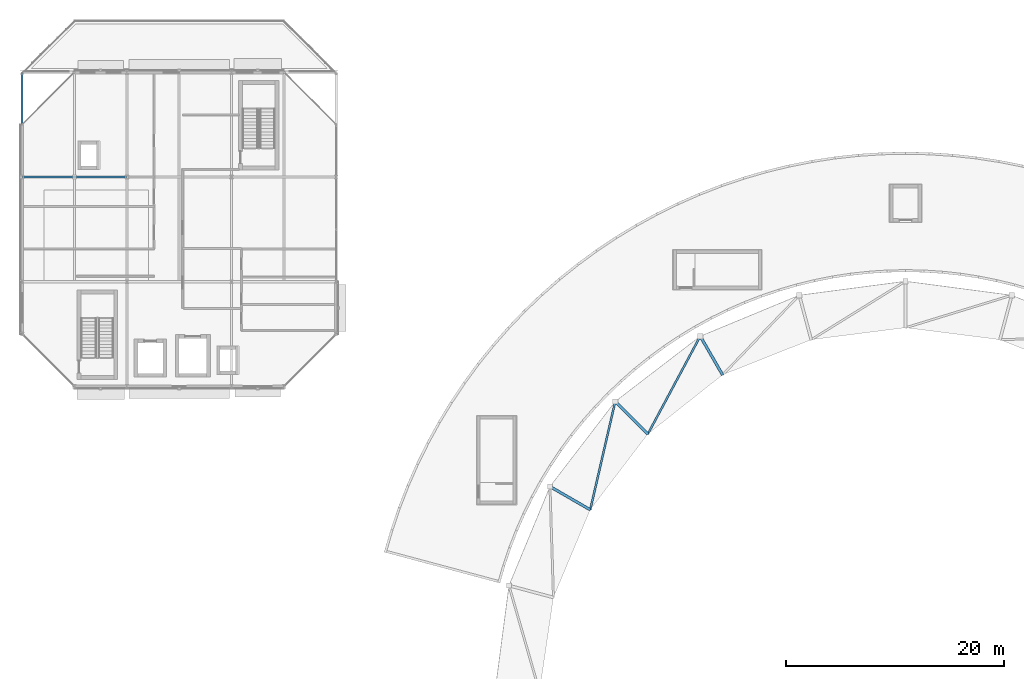
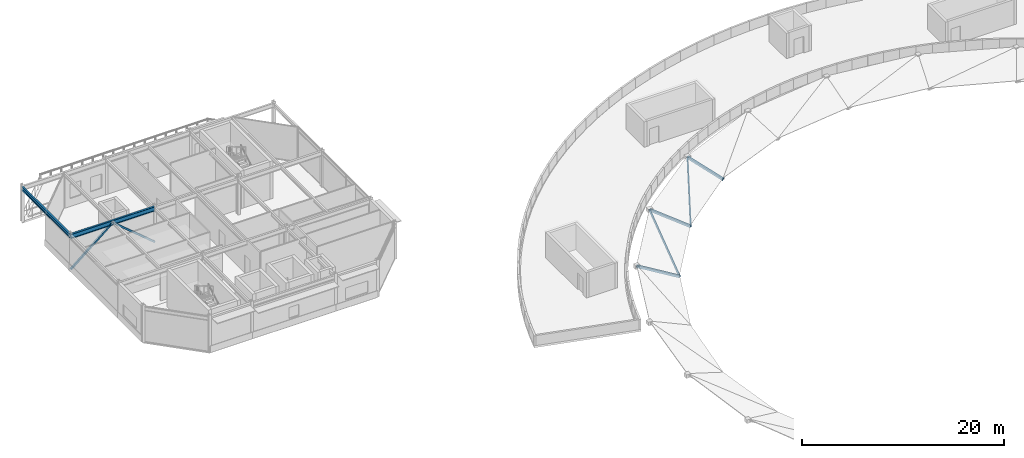
# One storey, part 12 of 50: 7 members, 2 beams.
"""IFC4 building model written with IfcOpenShell, lengths in metres."""

from ifc_helpers import new_model, si_unit, direction, frame, origin, origin_2d, place, context, subcontext, project, spatial, hollow_rectangle, i_section, extrude, material, material_profile, profile_set, type_object, element, save


model = new_model("IFC4")

# Units and contexts
model_context = context("Model", 3, precision=1e-05, world=origin(), true_north=direction((0.0, 1.0)))
body_context = subcontext(model_context, "Body", "Model", "MODEL_VIEW")
ifc_project = project(units=[si_unit("LENGTHUNIT", "METRE"), si_unit("AREAUNIT", "SQUARE_METRE"), si_unit("VOLUMEUNIT", "CUBIC_METRE"), si_unit("PLANEANGLEUNIT", "RADIAN"), si_unit("MASSUNIT", "GRAM", prefix="KILO")], contexts=[model_context])

# Site, building, storey
site_placement = place(None, origin())
site = spatial("IfcSite", under=ifc_project, at=site_placement, CompositionType="ELEMENT")
building_placement = place(site_placement, origin())
building = spatial("IfcBuilding", under=site, at=building_placement, Name="Almandine Court Research Institute", CompositionType="ELEMENT")
storey_placement = place(building_placement, frame((0.0, 0.0, 23.449951171875)))
storey = spatial("IfcBuildingStorey", under=building, at=storey_placement, Name="L05", CompositionType="ELEMENT", Elevation=23.449951171875)

# Beams
ifc_material_1 = material(Name="Steel ASTM A992 Grade 50", Category="steel")
ifc_material_profile_1 = material_profile(ifc_material_1, i_section(OverallWidth=0.2109375, OverallDepth=0.5390625, WebThickness=0.011962890625, FlangeThickness=0.01904296875, at=origin_2d()), Name="W530x109")
ifc_profile_set_1 = profile_set([ifc_material_profile_1], Name="Steel ASTM A992 Grade 50")
beam_type_1 = type_object("IfcBeamType", Name="Beam-G-04", PredefinedType="BEAM", material=ifc_profile_set_1)
beam_1_placement = place(storey_placement, frame((6.0, 103.199951171875, 4.0390625), z_axis=(1.0, 0.0, 0.0), x_axis=(0.0, 1.0, 0.0)))
element("IfcBeam", 1, at=beam_1_placement, inside=storey, type_object=beam_type_1, Name="L05 V3 Primary X Girder", PredefinedType="BEAM", context=body_context, shape_type="SweptSolid", body=[
    extrude(i_section(OverallWidth=0.2109375, OverallDepth=0.5390625, WebThickness=0.011962890625, FlangeThickness=0.01904296875, at=origin_2d()), origin(), (0.0, 0.0, 1.0), 9.60009765625),
])
ifc_material_profile_2 = material_profile(ifc_material_1, i_section(OverallWidth=0.193115234375, OverallDepth=0.466064453125, WebThickness=0.010986328125, FlangeThickness=0.01904296875, at=origin_2d()), Name="W460x97")
ifc_profile_set_2 = profile_set([ifc_material_profile_2], Name="Steel ASTM A992 Grade 50")
beam_type_2 = type_object("IfcBeamType", Name="Beam-G-06-E", PredefinedType="SPANDREL", material=ifc_profile_set_2)
beam_2_placement = place(storey_placement, frame((6.0, 103.199951171875, 4.074951171875), z_axis=(0.0, 1.0, 0.0), x_axis=(-1.0, 0.0, 0.0)))
element("IfcBeam", 2, at=beam_2_placement, inside=storey, type_object=beam_type_2, Name="L05 V3 Primary Y Girder", PredefinedType="SPANDREL", context=body_context, shape_type="SweptSolid", body=[
    extrude(i_section(OverallWidth=0.193115234375, OverallDepth=0.466064453125, WebThickness=0.010986328125, FlangeThickness=0.01904296875, at=origin_2d()), origin(), (0.0, 0.0, 1.0), 9.60009765625),
])

# Members
ifc_material_2 = material(Name="Steel ASTM A500 Grade C", Category="steel")
ifc_material_profile_3 = material_profile(ifc_material_2, hollow_rectangle(XDim=0.199951171875, YDim=0.199951171875, WallThickness=0.008056640625, at=origin_2d()), Name="HSS 200x200x8")
ifc_profile_set_3 = profile_set([ifc_material_profile_3], Name="Steel ASTM A500 Grade C")
member_type_1 = type_object("IfcMemberType", Name="Mem-BF-BR2", PredefinedType="BRACE", material=ifc_profile_set_3)
for number, where, z_axis, x_axis, name in (
    (3, (6.0, 103.199951171875, 0.02001953125), (0.765862920872, 0.0, 0.643003877464), (0.0, 1.0, 0.0), "L05 Seismic Chevron Brace V3-BF1 Left"),
    (4, (15.60009765625, 103.199951171875, 0.02001953125), (-0.765862920872, 0.0, 0.643003877464), (0.0, -1.0, 0.0), "L05 Seismic Chevron Brace V3-BF1 Right"),
):
    element("IfcMember", number, at=place(storey_placement, frame(where, z_axis=z_axis, x_axis=x_axis)), inside=storey, type_object=member_type_1, Name=name, PredefinedType="BRACE", context=body_context, shape_type="SweptSolid", body=[
        extrude(hollow_rectangle(XDim=0.199951171875, YDim=0.199951171875, WallThickness=0.008056640625, at=origin_2d()), origin(), (0.0, 0.0, 1.0), 6.267578125),
    ])
ifc_material_profile_4 = material_profile(ifc_material_2, hollow_rectangle(XDim=0.25, YDim=0.25, WallThickness=0.010009765625, at=origin_2d()), Name="HSS 250x250x10")
ifc_profile_set_4 = profile_set([ifc_material_profile_4], Name="Steel ASTM A500 Grade C")
member_type_2 = type_object("IfcMemberType", Name="Mem-GS-AR1", PredefinedType="RAFTER", material=ifc_profile_set_4)
member_1_placement = place(storey_placement, frame((68.175048828125, 88.60595703125, 0.699951171875), z_axis=(0.477838809369, -0.827949822439, -0.293545846137), x_axis=(0.86610613113, 0.49986015006, 0.0)))
element("IfcMember", 5, at=member_1_placement, inside=storey, type_object=member_type_2, Name="Atrium Conical Gridshell Radial Rib R0-S08", PredefinedType="RAFTER", context=body_context, shape_type="SweptSolid", body=[
    extrude(hollow_rectangle(XDim=0.25, YDim=0.25, WallThickness=0.010009765625, at=origin_2d()), origin(), (0.0, 0.0, 1.0), 4.281494140625),
])
member_2_placement = place(storey_placement, frame((60.376953125, 82.623046875, 0.699951171875), z_axis=(0.677781888039, -0.677781888039, -0.284997235941), x_axis=(0.707106781187, 0.707106781187, 0.0)))
element("IfcMember", 6, at=member_2_placement, inside=storey, type_object=member_type_2, Name="Atrium Conical Gridshell Radial Rib R0-S09", PredefinedType="RAFTER", context=body_context, shape_type="SweptSolid", body=[
    extrude(hollow_rectangle(XDim=0.25, YDim=0.25, WallThickness=0.010009765625, at=origin_2d()), origin(), (0.0, 0.0, 1.0), 4.409912109375),
])
member_3_placement = place(storey_placement, frame((54.39404296875, 74.824951171875, 0.699951171875), z_axis=(0.830674467519, -0.479682936068, -0.282637948367), x_axis=(0.500072563448, 0.865983505205, 0.0)))
element("IfcMember", 7, at=member_3_placement, inside=storey, type_object=member_type_2, Name="Atrium Conical Gridshell Radial Rib R0-S10", PredefinedType="RAFTER", context=body_context, shape_type="SweptSolid", body=[
    extrude(hollow_rectangle(XDim=0.25, YDim=0.25, WallThickness=0.010009765625, at=origin_2d()), origin(), (0.0, 0.0, 1.0), 4.44677734375),
])
ifc_material_profile_5 = material_profile(ifc_material_2, hollow_rectangle(XDim=0.179931640625, YDim=0.179931640625, WallThickness=0.008056640625, at=origin_2d()), Name="HSS 180x180x8")
ifc_profile_set_5 = profile_set([ifc_material_profile_5], Name="Steel ASTM A500 Grade C")
member_type_3 = type_object("IfcMemberType", Name="Mem-GS-BR1", PredefinedType="BRACE", material=ifc_profile_set_5)
member_4_placement = place(storey_placement, frame((68.175048828125, 88.60595703125, 0.699951171875), z_axis=(-0.468866839861, -0.874727764142, -0.122536627658), x_axis=(0.881369774047, -0.472427054047, 0.0)))
element("IfcMember", 8, at=member_4_placement, inside=storey, type_object=member_type_3, Name="Atrium Conical Gridshell Diagonal Brace R0-S08", PredefinedType="BRACE", context=body_context, shape_type="SweptSolid", body=[
    extrude(hollow_rectangle(XDim=0.179931640625, YDim=0.179931640625, WallThickness=0.008056640625, at=origin_2d()), origin(), (0.0, 0.0, 1.0), 10.2568359375),
])
member_5_placement = place(storey_placement, frame((60.376953125, 82.623046875, 0.699951171875), z_axis=(-0.222915394417, -0.967123764303, -0.122394245996), x_axis=(0.974450108185, -0.224604066433, 0.0)))
element("IfcMember", 9, at=member_5_placement, inside=storey, type_object=member_type_3, Name="Atrium Conical Gridshell Diagonal Brace R0-S09", PredefinedType="BRACE", context=body_context, shape_type="SweptSolid", body=[
    extrude(hollow_rectangle(XDim=0.179931640625, YDim=0.179931640625, WallThickness=0.008056640625, at=origin_2d()), origin(), (0.0, 0.0, 1.0), 10.268798828125),
])

save(model, "model.ifc")
